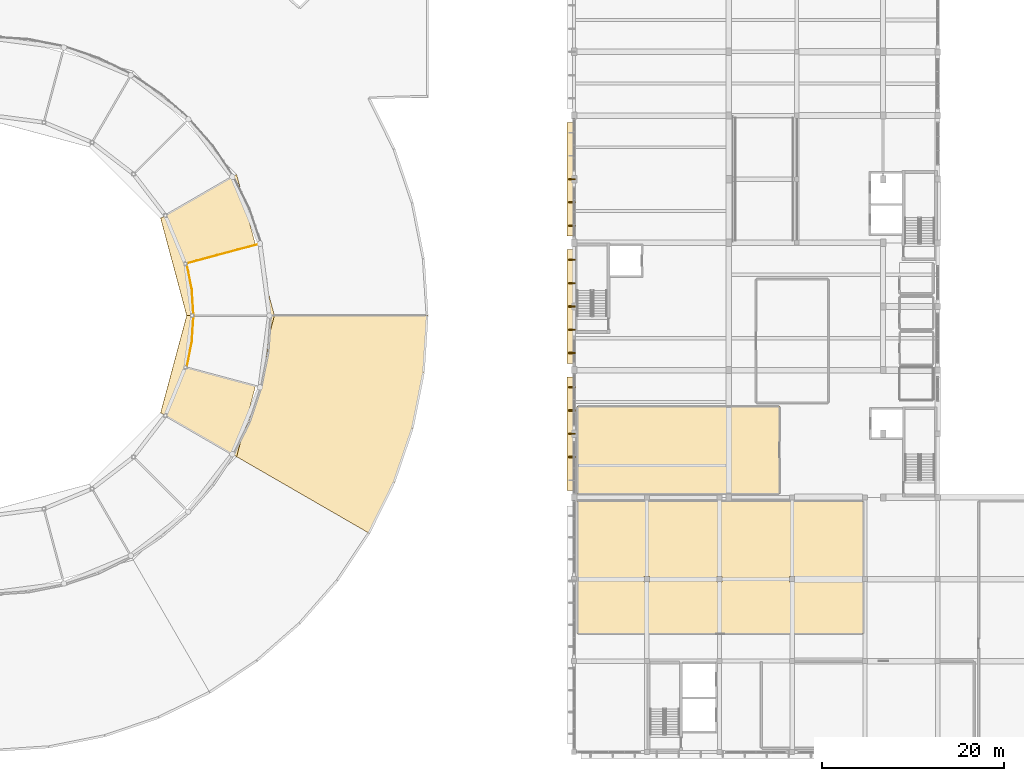
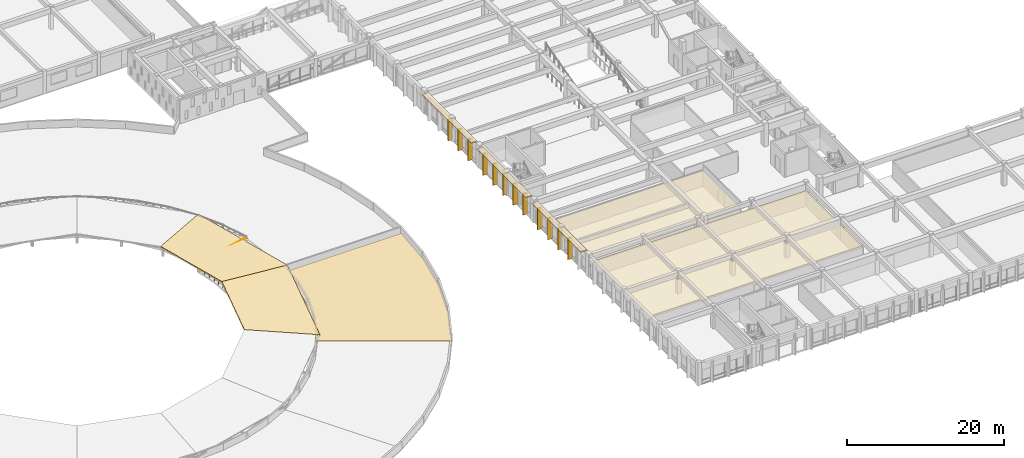
# One storey, part 65 of 77: 20 coverings, 2 railings.
"""IFC4 building model written with IfcOpenShell, lengths in metres."""

from ifc_helpers import new_model, si_unit, direction, frame, origin, origin_2d, place, context, subcontext, project, spatial, polyline, rectangle, circle, outline, extrude, material, layer, layer_set, type_object, element, save


model = new_model("IFC4")

# Units and contexts
model_context = context("Model", 3, precision=1e-05, world=origin(), true_north=direction((0.0, 1.0)))
body_context = subcontext(model_context, "Body", "Model", "MODEL_VIEW")
ifc_project = project(units=[si_unit("LENGTHUNIT", "METRE"), si_unit("AREAUNIT", "SQUARE_METRE"), si_unit("VOLUMEUNIT", "CUBIC_METRE"), si_unit("PLANEANGLEUNIT", "RADIAN"), si_unit("MASSUNIT", "GRAM", prefix="KILO")], contexts=[model_context])

# Site, building, storey
site_placement = place(None, origin())
site = spatial("IfcSite", under=ifc_project, at=site_placement, CompositionType="ELEMENT")
building_placement = place(site_placement, origin())
building = spatial("IfcBuilding", under=site, at=building_placement, Name="Larkveld Mobility Hub", CompositionType="ELEMENT")
storey_placement = place(building_placement, frame((0.0, 0.0, 12.0)))
storey = spatial("IfcBuildingStorey", under=building, at=storey_placement, Name="L03", CompositionType="ELEMENT", Elevation=12.0)

# Coverings
ifc_material_1 = material(Name="Precast concrete C50/60", Category="concrete")
ifc_layer_1 = layer(ifc_material_1, 0.14990234375, Name="Precast concrete C50/60", Category="concrete")
ifc_layer_set_1 = layer_set([ifc_layer_1], Name="Precast concrete C50/60")
covering_type_1 = type_object("IfcCoveringType", Name="COV-QSL-H01", PredefinedType="CLADDING", material=ifc_layer_set_1)
for number, where, z_axis, x_axis, name in (
    (1, (111.659912109375, 35.0, 3.3701171875), (0.0, 0.0, 1.0), (0.0, -1.0, 0.0), "Precast Quebra-Sol Horizontal Sunbreaker QSH-500"),
    (2, (111.659912109375, 49.0, 3.3701171875), (0.0, 0.0, 1.0), (0.0, -1.0, 0.0), "Precast Quebra-Sol Horizontal Sunbreaker QSH-506"),
    (3, (111.659912109375, 63.0, 3.3701171875), (0.0, 0.0, 1.0), (0.0, -1.0, 0.0), "Precast Quebra-Sol Horizontal Sunbreaker QSH-512"),
):
    element("IfcCovering", number, at=place(storey_placement, frame(where, z_axis=z_axis, x_axis=x_axis)), inside=storey, type_object=covering_type_1, Name=name, PredefinedType="CLADDING", context=body_context, shape_type="SweptSolid", body=[
        extrude(rectangle(XDim=12.5, YDim=0.919921875, at=origin_2d()), origin(), (0.0, 0.0, 1.0), 0.14990234375),
    ])
ifc_layer_2 = layer(ifc_material_1, 0.1201171875, Name="Precast concrete C50/60", Category="concrete")
ifc_layer_set_2 = layer_set([ifc_layer_2], Name="Precast concrete C50/60")
covering_type_2 = type_object("IfcCoveringType", Name="COV-QSL-V01", PredefinedType="CLADDING", material=ifc_layer_set_2)
for number, where, z_axis, x_axis, name in (
    (4, (111.760009765625, 40.1201171875, -0.01953125), (0.0, 0.0, 1.0), (0.0, -1.0, 0.0), "Precast Quebra-Sol Vertical Fin QSV-501"),
    (5, (111.760009765625, 37.56005859375, -0.01953125), (0.0, 0.0, 1.0), (0.0, -1.0, 0.0), "Precast Quebra-Sol Vertical Fin QSV-502"),
    (6, (111.760009765625, 35.0, -0.01953125), (0.0, 0.0, 1.0), (0.0, -1.0, 0.0), "Precast Quebra-Sol Vertical Fin QSV-503"),
    (7, (111.760009765625, 32.43994140625, -0.01953125), (0.0, 0.0, 1.0), (0.0, -1.0, 0.0), "Precast Quebra-Sol Vertical Fin QSV-504"),
    (8, (111.760009765625, 54.1201171875, -0.01953125), (0.0, 0.0, 1.0), (0.0, -1.0, 0.0), "Precast Quebra-Sol Vertical Fin QSV-507"),
    (9, (111.760009765625, 51.56005859375, -0.01953125), (0.0, 0.0, 1.0), (0.0, -1.0, 0.0), "Precast Quebra-Sol Vertical Fin QSV-508"),
    (10, (111.760009765625, 49.0, -0.01953125), (0.0, 0.0, 1.0), (0.0, -1.0, 0.0), "Precast Quebra-Sol Vertical Fin QSV-509"),
    (11, (111.760009765625, 46.43994140625, -0.01953125), (0.0, 0.0, 1.0), (0.0, -1.0, 0.0), "Precast Quebra-Sol Vertical Fin QSV-510"),
    (12, (111.760009765625, 43.8798828125, -0.01953125), (0.0, 0.0, 1.0), (0.0, -1.0, 0.0), "Precast Quebra-Sol Vertical Fin QSV-511"),
    (13, (111.760009765625, 63.0, -0.01953125), (0.0, 0.0, 1.0), (0.0, -1.0, 0.0), "Precast Quebra-Sol Vertical Fin QSV-515"),
    (14, (111.760009765625, 60.43994140625, -0.01953125), (0.0, 0.0, 1.0), (0.0, -1.0, 0.0), "Precast Quebra-Sol Vertical Fin QSV-516"),
    (15, (111.760009765625, 57.8798828125, -0.01953125), (0.0, 0.0, 1.0), (0.0, -1.0, 0.0), "Precast Quebra-Sol Vertical Fin QSV-517"),
):
    element("IfcCovering", number, at=place(storey_placement, frame(where, z_axis=z_axis, x_axis=x_axis)), inside=storey, type_object=covering_type_2, Name=name, PredefinedType="CLADDING", context=body_context, shape_type="SweptSolid", body=[
        extrude(rectangle(XDim=0.1201171875, YDim=0.719970703125, at=origin_2d()), origin(), (0.0, 0.0, 1.0), 3.375),
    ])
ifc_material_2 = material(Name="Standing-seam zinc-alume roofing", Category="aluminium")
ifc_layer_3 = layer(ifc_material_2, 0.080078125, Name="Standing-seam zinc-alume roofing", Category="aluminium")
ifc_layer_set_3 = layer_set([ifc_layer_3], Name="Standing-seam zinc-alume roofing")
covering_type_3 = type_object("IfcCoveringType", Name="COV-RFG-01", PredefinedType="ROOFING", material=ifc_layer_set_3)
covering_1_placement = place(storey_placement, frame((79.050048828125, 48.0, 1.031982421875), z_axis=(0.082603101911, 0.022133973973, 0.996336697483), x_axis=(-0.258834716338, 0.965921627057, 8.69483e-07)))
element("IfcCovering", 16, at=covering_1_placement, inside=storey, type_object=covering_type_3, Name="Central Drum Standing-Seam Canopy 1.1", PredefinedType="ROOFING", context=body_context, shape_type="SweptSolid", body=[
    extrude(outline(polyline([(0.0, 0.0), (16.07263179467481, -8.881784197001252e-16), (13.57517234009126, 9.355280182935408), (2.4977936235366682, 9.355556226719083), (0.0, 0.0)])), origin(), (0.0, 0.0, -1.0), 0.080078125),
])
covering_2_placement = place(storey_placement, frame((74.889892578125, 32.47509765625, 1.031982421875), z_axis=(0.082603101911, -0.022133973973, 0.996336697483), x_axis=(0.258834716338, 0.965921627057, -8.69483e-07)))
element("IfcCovering", 17, at=covering_2_placement, inside=storey, type_object=covering_type_3, Name="Central Drum Standing-Seam Canopy 6.2", PredefinedType="ROOFING", context=body_context, shape_type="SweptSolid", body=[
    extrude(outline(polyline([(0.0, 0.0), (16.07263179467481, 8.881784197001252e-16), (13.574838171138142, 9.355556226719084), (2.497459454583548, 9.35528018293541), (0.0, 0.0)])), origin(), (0.0, 0.0, -1.0), 0.080078125),
])
ifc_material_3 = material(Name="Insulated waterproof membrane roofing", Category="concrete")
ifc_layer_4 = layer(ifc_material_3, 0.094970703125, Name="Insulated waterproof membrane roofing", Category="concrete")
ifc_layer_set_4 = layer_set([ifc_layer_4], Name="Insulated waterproof membrane roofing")
covering_type_4 = type_object("IfcCoveringType", Name="COV-RFG-02", PredefinedType="ROOFING", material=ifc_layer_set_4)
covering_3_placement = place(storey_placement, origin())
element("IfcCovering", 18, at=covering_3_placement, inside=storey, type_object=covering_type_4, Name="Drum Waterproof Roof Membrane 8", PredefinedType="ROOFING", context=body_context, shape_type="SweptSolid", body=[
    extrude(outline(polyline([(89.5, 24.0400390625), (92.27197265625, 29.662109375), (94.287109375, 35.596923828125), (95.510009765625, 41.7451171875), (95.919921875, 48.0), (78.5, 48.0), (78.239013671875, 44.01904296875), (77.4609375, 40.10595703125), (76.177978515625, 36.327880859375), (74.4140625, 32.75), (89.5, 24.0400390625)])), origin(), (0.0, 0.0, 1.0), 0.094970703125),
])
ifc_material_4 = material(Name="Perforated mineral-fibre acoustic ceiling", Category="masonry")
ifc_layer_5 = layer(ifc_material_4, 0.02001953125, Name="Perforated mineral-fibre acoustic ceiling", Category="masonry")
ifc_layer_set_5 = layer_set([ifc_layer_5], Name="Perforated mineral-fibre acoustic ceiling")
covering_type_5 = type_object("IfcCoveringType", Name="CV-CLG-020", PredefinedType="CEILING", material=ifc_layer_set_5)
covering_4_placement = place(storey_placement, frame((0.0, 0.0, 2.330078125)))
element("IfcCovering", 19, at=covering_4_placement, inside=storey, type_object=covering_type_5, Name="Public Transport Customer Service Office Acoustic Ceiling 038", PredefinedType="CEILING", context=body_context, shape_type="SweptSolid", body=[
    extrude(outline(polyline([(112.4169921875, 28.3701171875), (112.4140625, 28.37109375), (112.410888671875, 28.37109375), (112.408935546875, 28.3720703125), (112.406005859375, 28.3740234375), (112.403076171875, 28.375), (112.40087890625, 28.376953125), (112.39892578125, 28.37890625), (112.37890625, 28.39892578125), (112.376953125, 28.40087890625), (112.375, 28.403076171875), (112.3740234375, 28.406005859375), (112.3720703125, 28.408935546875), (112.37109375, 28.410888671875), (112.37109375, 28.4140625), (112.3701171875, 28.4169921875), (112.3701171875, 28.419921875), (112.3701171875, 37.97998046875), (112.3701171875, 37.98291015625), (112.37109375, 37.986083984375), (112.37109375, 37.989013671875), (112.3720703125, 37.990966796875), (112.3740234375, 37.993896484375), (112.375, 37.9970703125), (112.386962890625, 38.014892578125), (112.388916015625, 38.01806640625), (112.39111328125, 38.02001953125), (112.39306640625, 38.02197265625), (112.39599609375, 38.02294921875), (112.39794921875, 38.02490234375), (112.40087890625, 38.02587890625), (112.404052734375, 38.027099609375), (112.406005859375, 38.028076171875), (112.408935546875, 38.028076171875), (112.412109375, 38.028076171875), (134.580078125, 38.030029296875), (134.5830078125, 38.030029296875), (134.5859375, 38.029052734375), (134.589111328125, 38.029052734375), (134.591064453125, 38.028076171875), (134.593994140625, 38.02587890625), (134.596923828125, 38.02490234375), (134.614990234375, 38.012939453125), (134.617919921875, 38.010986328125), (134.6201171875, 38.009033203125), (134.6220703125, 38.007080078125), (134.623046875, 38.00390625), (134.625, 38.001953125), (134.6259765625, 37.9990234375), (134.626953125, 37.99609375), (134.6279296875, 37.993896484375), (134.6279296875, 37.990966796875), (134.6279296875, 37.988037109375), (134.6298828125, 28.419921875), (134.6298828125, 28.4169921875), (134.62890625, 28.4140625), (134.62890625, 28.410888671875), (134.6279296875, 28.408935546875), (134.6259765625, 28.406005859375), (134.625, 28.403076171875), (134.613037109375, 28.385009765625), (134.611083984375, 28.382080078125), (134.60888671875, 28.3798828125), (134.60693359375, 28.3779296875), (134.60400390625, 28.376953125), (134.60205078125, 28.375), (134.59912109375, 28.3740234375), (134.595947265625, 28.373046875), (134.593994140625, 28.3720703125), (134.591064453125, 28.3720703125), (134.587890625, 28.3720703125), (129.304931640625, 28.37109375), (129.304931640625, 28.405029296875), (128.695068359375, 28.405029296875), (128.695068359375, 28.37109375), (112.419921875, 28.3701171875), (112.4169921875, 28.3701171875)])), origin(), (0.0, 0.0, 1.0), 0.02001953125),
])
covering_5_placement = place(storey_placement, frame((0.0, 0.0, 2.330078125)))
element("IfcCovering", 20, at=covering_5_placement, inside=storey, type_object=covering_type_5, Name="Fleet Reliability Engineering Office Acoustic Ceiling 042", PredefinedType="CEILING", context=body_context, shape_type="SweptSolid", body=[
    extrude(outline(polyline([(112.4169921875, 12.969970703125), (112.4140625, 12.970947265625), (112.410888671875, 12.970947265625), (112.408935546875, 12.971923828125), (112.406005859375, 12.97412109375), (112.403076171875, 12.97509765625), (112.40087890625, 12.97705078125), (112.39892578125, 12.97900390625), (112.37890625, 12.9990234375), (112.376953125, 13.0009765625), (112.375, 13.0029296875), (112.3740234375, 13.006103515625), (112.3720703125, 13.009033203125), (112.37109375, 13.010986328125), (112.37109375, 13.013916015625), (112.3701171875, 13.01708984375), (112.3701171875, 13.02001953125), (112.3701171875, 27.580078125), (112.3701171875, 27.5830078125), (112.37109375, 27.5859375), (112.37109375, 27.589111328125), (112.3720703125, 27.591064453125), (112.3740234375, 27.593994140625), (112.375, 27.596923828125), (112.386962890625, 27.614990234375), (112.388916015625, 27.617919921875), (112.39111328125, 27.6201171875), (112.39306640625, 27.6220703125), (112.39599609375, 27.623046875), (112.39794921875, 27.625), (112.40087890625, 27.6259765625), (112.404052734375, 27.626953125), (112.406005859375, 27.6279296875), (112.408935546875, 27.6279296875), (112.412109375, 27.6279296875), (128.695068359375, 27.62890625), (128.695068359375, 27.594970703125), (129.304931640625, 27.594970703125), (129.304931640625, 27.62890625), (143.780029296875, 27.6298828125), (143.782958984375, 27.6298828125), (143.785888671875, 27.62890625), (143.7890625, 27.62890625), (143.791015625, 27.6279296875), (143.7939453125, 27.6259765625), (143.797119140625, 27.625), (143.81494140625, 27.613037109375), (143.818115234375, 27.611083984375), (143.820068359375, 27.60888671875), (143.822021484375, 27.60693359375), (143.822998046875, 27.60400390625), (143.824951171875, 27.60205078125), (143.825927734375, 27.59912109375), (143.826904296875, 27.595947265625), (143.827880859375, 27.593994140625), (143.827880859375, 27.591064453125), (143.827880859375, 27.587890625), (143.8291015625, 19.280029296875), (143.719970703125, 19.280029296875), (143.719970703125, 18.719970703125), (143.8291015625, 18.719970703125), (143.830078125, 13.02001953125), (143.830078125, 13.01708984375), (143.8291015625, 13.013916015625), (143.8291015625, 13.010986328125), (143.827880859375, 13.009033203125), (143.825927734375, 13.006103515625), (143.824951171875, 13.0029296875), (143.81298828125, 12.985107421875), (143.81103515625, 12.98193359375), (143.80908203125, 12.97998046875), (143.806884765625, 12.97802734375), (143.803955078125, 12.97705078125), (143.802001953125, 12.97509765625), (143.799072265625, 12.97412109375), (143.7958984375, 12.972900390625), (143.7939453125, 12.971923828125), (143.791015625, 12.971923828125), (143.7880859375, 12.971923828125), (112.419921875, 12.969970703125), (112.4169921875, 12.969970703125)]), holes=[polyline([(119.719970703125, 19.280029296875), (119.719970703125, 18.719970703125), (120.280029296875, 18.719970703125), (120.280029296875, 19.280029296875), (119.719970703125, 19.280029296875)]), polyline([(127.719970703125, 19.280029296875), (127.719970703125, 18.719970703125), (128.280029296875, 18.719970703125), (128.280029296875, 19.280029296875), (127.719970703125, 19.280029296875)]), polyline([(135.719970703125, 19.280029296875), (135.719970703125, 18.719970703125), (136.280029296875, 18.719970703125), (136.280029296875, 19.280029296875), (135.719970703125, 19.280029296875)])]), origin(), (0.0, 0.0, 1.0), 0.02001953125),
])

# Railings
ifc_material_5 = material(Name="Galvanized Steel S355JR vehicle-deck guard", Category="steel")
railing_type = type_object("IfcRailingType", Name="RL-GRD-RMP", PredefinedType="GUARDRAIL", material=ifc_material_5)
railing_1_placement = place(storey_placement, frame((69.39501953125, 42.26708984375, 0.0)))
element("IfcRailing", 21, at=railing_1_placement, inside=storey, type_object=railing_type, Name="Helical Top Arrival Inner Guard L03-021", PredefinedType="GUARDRAIL", context=body_context, shape_type="SweptSolid", body=[
    extrude(circle(Radius=0.02392578125, at=origin_2d()), frame((0.0, 0.0, 1.1259765625), z_axis=(0.195305912265, 0.980742372203, 0.0), x_axis=(-0.980742372203, 0.195305912265, 0.0)), (0.0, 0.0, 1.0), 2.897705078125),
    extrude(circle(Radius=0.02392578125, at=origin_2d()), frame((0.56591796875, 2.841796875, 1.1259765625), z_axis=(0.065221416326, 0.997870816715, 0.0), x_axis=(-0.997870816715, 0.065221416326, 0.0)), (0.0, 0.0, 1.0), 2.897216796875),
    extrude(circle(Radius=0.02392578125, at=origin_2d()), frame((0.7548828125, 5.73291015625, 1.1259765625), z_axis=(-0.065221416326, 0.997870816715, 0.0), x_axis=(-0.997870816715, -0.065221416326, 0.0)), (0.0, 0.0, 1.0), 2.897216796875),
    extrude(circle(Radius=0.02392578125, at=origin_2d()), frame((0.56591796875, 8.6240234375, 1.1259765625), z_axis=(-0.195305912265, 0.980742372203, 0.0), x_axis=(-0.980742372203, -0.195305912265, 0.0)), (0.0, 0.0, 1.0), 2.897705078125),
    extrude(circle(Radius=0.02099609375, at=origin_2d()), origin(), (0.0, 0.0, 1.0), 1.101806640625),
    extrude(circle(Radius=0.02099609375, at=origin_2d()), frame((0.188720703125, 0.947265625, 0.0)), (0.0, 0.0, 1.0), 1.101806640625),
    extrude(circle(Radius=0.02099609375, at=origin_2d()), frame((0.377197265625, 1.89453125, 0.0)), (0.0, 0.0, 1.0), 1.101806640625),
    extrude(circle(Radius=0.02099609375, at=origin_2d()), frame((0.56591796875, 2.841796875, 0.0)), (0.0, 0.0, 1.0), 1.101806640625),
    extrude(circle(Radius=0.02099609375, at=origin_2d()), frame((0.62890625, 3.805419921875, 0.0)), (0.0, 0.0, 1.0), 1.101806640625),
    extrude(circle(Radius=0.02099609375, at=origin_2d()), frame((0.69189453125, 4.769287109375, 0.0)), (0.0, 0.0, 1.0), 1.101806640625),
    extrude(circle(Radius=0.02099609375, at=origin_2d()), frame((0.7548828125, 5.73291015625, 0.0)), (0.0, 0.0, 1.0), 1.101806640625),
    extrude(circle(Radius=0.02099609375, at=origin_2d()), frame((0.69189453125, 6.696533203125, 0.0)), (0.0, 0.0, 1.0), 1.101806640625),
    extrude(circle(Radius=0.02099609375, at=origin_2d()), frame((0.62890625, 7.660400390625, 0.0)), (0.0, 0.0, 1.0), 1.101806640625),
    extrude(circle(Radius=0.02099609375, at=origin_2d()), frame((0.56591796875, 8.6240234375, 0.0)), (0.0, 0.0, 1.0), 1.101806640625),
    extrude(circle(Radius=0.02099609375, at=origin_2d()), frame((0.377197265625, 9.5712890625, 0.0)), (0.0, 0.0, 1.0), 1.101806640625),
    extrude(circle(Radius=0.02099609375, at=origin_2d()), frame((0.188720703125, 10.5185546875, 0.0)), (0.0, 0.0, 1.0), 1.101806640625),
    extrude(circle(Radius=0.02099609375, at=origin_2d()), frame((0.0, 11.4658203125, 0.0)), (0.0, 0.0, 1.0), 1.101806640625),
])
railing_2_placement = place(storey_placement, frame((69.39501953125, 53.73291015625, 0.0)))
element("IfcRailing", 22, at=railing_2_placement, inside=storey, type_object=railing_type, Name="Helical Top Arrival North Radial Guard L03-022", PredefinedType="GUARDRAIL", context=body_context, shape_type="SweptSolid", body=[
    extrude(circle(Radius=0.02392578125, at=origin_2d()), frame((0.0, 0.0, 1.1259765625), z_axis=(0.965935826112, 0.25878172237, 0.0), x_axis=(-0.25878172237, 0.965935826112, 0.0)), (0.0, 0.0, 1.0), 8.2001953125),
    extrude(circle(Radius=0.02099609375, at=origin_2d()), origin(), (0.0, 0.0, 1.0), 1.101806640625),
    extrude(circle(Radius=0.02099609375, at=origin_2d()), frame((1.131591796875, 0.30322265625, 0.0)), (0.0, 0.0, 1.0), 1.101806640625),
    extrude(circle(Radius=0.02099609375, at=origin_2d()), frame((2.26318359375, 0.606201171875, 0.0)), (0.0, 0.0, 1.0), 1.101806640625),
    extrude(circle(Radius=0.02099609375, at=origin_2d()), frame((3.394775390625, 0.909423828125, 0.0)), (0.0, 0.0, 1.0), 1.101806640625),
    extrude(circle(Radius=0.02099609375, at=origin_2d()), frame((4.526123046875, 1.212646484375, 0.0)), (0.0, 0.0, 1.0), 1.101806640625),
    extrude(circle(Radius=0.02099609375, at=origin_2d()), frame((5.65771484375, 1.515869140625, 0.0)), (0.0, 0.0, 1.0), 1.101806640625),
    extrude(circle(Radius=0.02099609375, at=origin_2d()), frame((6.789306640625, 1.81884765625, 0.0)), (0.0, 0.0, 1.0), 1.101806640625),
    extrude(circle(Radius=0.02099609375, at=origin_2d()), frame((7.9208984375, 2.1220703125, 0.0)), (0.0, 0.0, 1.0), 1.101806640625),
])

save(model, "model.ifc")
